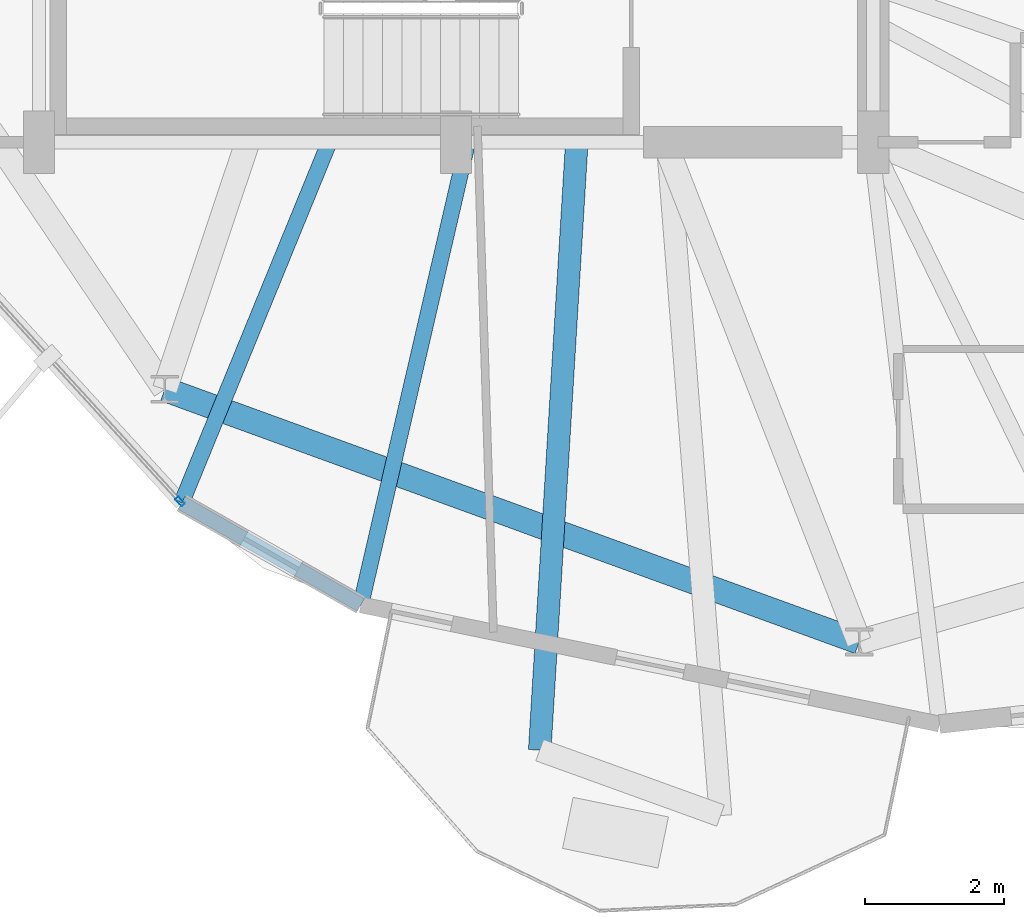
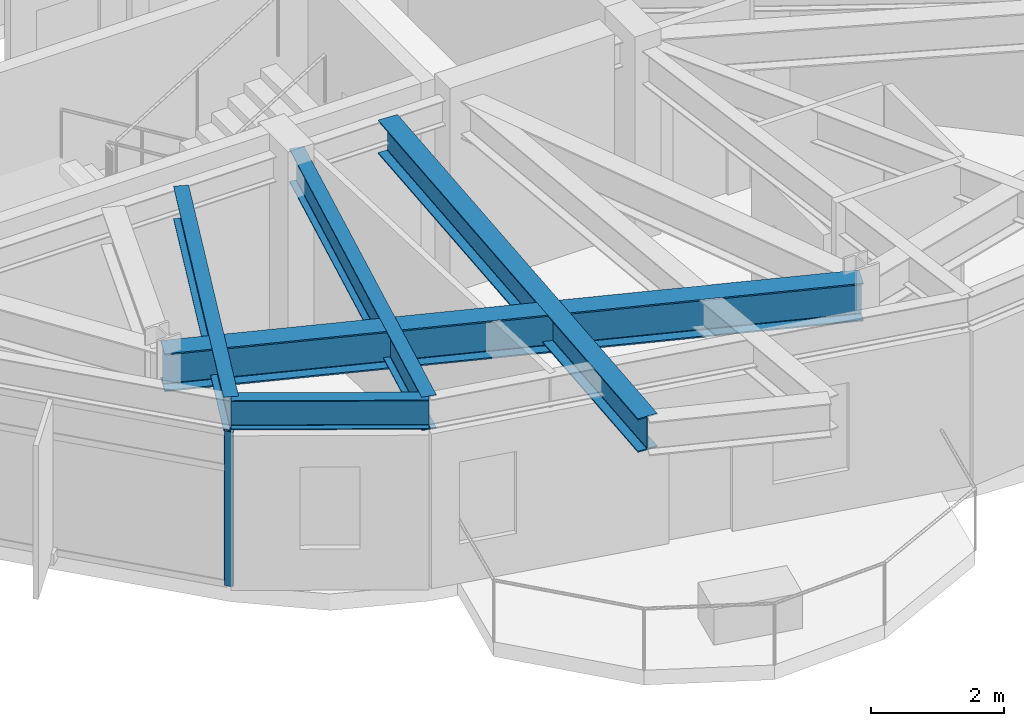
# One storey, part 2 of 23: 5 beams, 1 member, 1 element without a shape of its own.
"""IFC4 building model written with IfcOpenShell, lengths in metres."""

from ifc_helpers import new_model, si_unit, direction, frame, origin, origin_2d, place, context, subcontext, project, spatial, hollow_rectangle, i_section, extrude, material, layer, layer_set, material_profile, profile_set, type_object, element, aggregate, save


model = new_model("IFC4")

# Units and contexts
model_context = context("Model", 3, precision=1e-05, world=origin(), true_north=direction((0.0, 1.0)))
body_context = subcontext(model_context, "Body", "Model", "MODEL_VIEW")
ifc_project = project(units=[si_unit("LENGTHUNIT", "METRE"), si_unit("AREAUNIT", "SQUARE_METRE"), si_unit("VOLUMEUNIT", "CUBIC_METRE"), si_unit("PLANEANGLEUNIT", "RADIAN"), si_unit("MASSUNIT", "GRAM", prefix="KILO")], contexts=[model_context])

# Site, building, storey
site_placement = place(None, origin())
site = spatial("IfcSite", under=ifc_project, at=site_placement, CompositionType="ELEMENT")
building_placement = place(site_placement, origin())
building = spatial("IfcBuilding", under=site, at=building_placement, Name="Soratama Intermodal Tower", CompositionType="ELEMENT")
storey_placement = place(building_placement, frame((0.0, 0.0, 257.5)))
storey = spatial("IfcBuildingStorey", under=building, at=storey_placement, Name="L65", CompositionType="ELEMENT", Elevation=257.5)

# Beams
ifc_material_1 = material(Name="Structural steel ASTM A992 Grade 50", Category="steel")
ifc_material_profile_1 = material_profile(ifc_material_1, i_section(OverallWidth=0.324951171875, OverallDepth=0.615966796875, WebThickness=0.013916015625, FlangeThickness=0.021484375, FilletRadius=0.013916015625, at=origin_2d()), Name="W24X117")
ifc_profile_set_1 = profile_set([ifc_material_profile_1], Name="Structural steel ASTM A992 Grade 50")
beam_type_1 = type_object("IfcBeamType", Name="BM-CANT-W24X117", PredefinedType="BEAM", material=ifc_profile_set_1)
beam_1_placement = place(storey_placement, frame((40.3349609375, 14.9599609375, 3.14208984375), z_axis=(-0.060886379005, -0.998144703363, 0.0), x_axis=(0.998144703363, -0.060886379005, 0.0)))
element("IfcBeam", 1, at=beam_1_placement, inside=storey, type_object=beam_type_1, Name="BM-L65-CANT-3-1", PredefinedType="BEAM", context=body_context, shape_type="SweptSolid", body=[
    extrude(i_section(OverallWidth=0.324951171875, OverallDepth=0.615966796875, WebThickness=0.013916015625, FlangeThickness=0.021484375, FilletRadius=0.013916015625, at=origin_2d()), origin(), (0.0, 0.0, 1.0), 8.72119140625),
])
ifc_material_2 = material(Name="Structural steel ASTM A992 Grade 50", Category="steel")
ifc_material_profile_2 = material_profile(ifc_material_2, i_section(OverallWidth=0.35498046875, OverallDepth=0.695068359375, WebThickness=0.015380859375, FlangeThickness=0.02490234375, FilletRadius=0.01611328125, at=origin_2d()), Name="W27X146")
ifc_profile_set_2 = profile_set([ifc_material_profile_2], Name="Structural steel ASTM A992 Grade 50")
beam_type_2 = type_object("IfcBeamType", Name="BM-RING-W27X146", PredefinedType="BEAM", material=ifc_profile_set_2)
beam_2_placement = place(storey_placement, frame((34.410888671875, 11.446044921875, 3.1025390625), z_axis=(0.939713598519, -0.341962501976, 0.0), x_axis=(0.341962501976, 0.939713598519, 0.0)))
element("IfcBeam", 2, at=beam_2_placement, inside=storey, type_object=beam_type_2, Name="BM-L65-RING-07", PredefinedType="BEAM", context=body_context, shape_type="SweptSolid", body=[
    extrude(i_section(OverallWidth=0.35498046875, OverallDepth=0.695068359375, WebThickness=0.015380859375, FlangeThickness=0.02490234375, FilletRadius=0.01611328125, at=origin_2d()), origin(), (0.0, 0.0, 1.0), 10.6298828125),
])
ifc_material_3 = material(Name="Structural steel ASTM A992 Grade 50", Category="steel")
ifc_material_profile_3 = material_profile(ifc_material_3, i_section(OverallWidth=0.2099609375, OverallDepth=0.537109375, WebThickness=0.010986328125, FlangeThickness=0.017333984375, FilletRadius=0.012939453125, at=origin_2d()), Name="W21X68")
ifc_profile_set_3 = profile_set([ifc_material_profile_3], Name="Structural steel ASTM A992 Grade 50")
beam_type_3 = type_object("IfcBeamType", Name="BM-SPN-W21X68", PredefinedType="SPANDREL", material=ifc_profile_set_3)
beam_3_placement = place(storey_placement, frame((34.652099609375, 9.81201171875, 3.181396484375), z_axis=(0.869118079632, -0.494604653898, 0.0), x_axis=(0.494604653898, 0.869118079632, 0.0)))
element("IfcBeam", 3, at=beam_3_placement, inside=storey, type_object=beam_type_3, Name="BS-L65-CRN05", PredefinedType="SPANDREL", context=body_context, shape_type="SweptSolid", body=[
    extrude(i_section(OverallWidth=0.2099609375, OverallDepth=0.537109375, WebThickness=0.010986328125, FlangeThickness=0.017333984375, FilletRadius=0.012939453125, at=origin_2d()), origin(), (0.0, 0.0, 1.0), 2.966064453125),
])
ifc_material_4 = material(Name="Structural steel ASTM A992 Grade 50", Category="steel")
ifc_material_profile_4 = material_profile(ifc_material_4, i_section(OverallWidth=0.22900390625, OverallDepth=0.612060546875, WebThickness=0.011962890625, FlangeThickness=0.01953125, FilletRadius=0.012939453125, at=origin_2d()), Name="W24X84")
ifc_profile_set_4 = profile_set([ifc_material_profile_4], Name="Structural steel ASTM A992 Grade 50")
beam_type_4 = type_object("IfcBeamType", Name="BM-TIE-W24X84", PredefinedType="BEAM", material=ifc_profile_set_4)
beam_4_placement = place(storey_placement, frame((36.760986328125, 14.962890625, 3.14404296875), z_axis=(-0.378895858206, -0.925439316559, 0.0), x_axis=(0.925439316559, -0.378895858206, 0.0)))
element("IfcBeam", 4, at=beam_4_placement, inside=storey, type_object=beam_type_4, Name="BM-L65-TIE1-05", PredefinedType="BEAM", context=body_context, shape_type="SweptSolid", body=[
    extrude(i_section(OverallWidth=0.22900390625, OverallDepth=0.612060546875, WebThickness=0.011962890625, FlangeThickness=0.01953125, FilletRadius=0.012939453125, at=origin_2d()), origin(), (0.0, 0.0, 1.0), 5.56591796875),
])
beam_5_placement = place(storey_placement, frame((38.759033203125, 14.9609375, 3.14404296875), z_axis=(-0.22517984865, -0.974317215163, 0.0), x_axis=(0.974317215163, -0.22517984865, 0.0)))
element("IfcBeam", 5, at=beam_5_placement, inside=storey, type_object=beam_type_4, Name="BM-L65-TIE0-06", PredefinedType="BEAM", context=body_context, shape_type="SweptSolid", body=[
    extrude(i_section(OverallWidth=0.22900390625, OverallDepth=0.612060546875, WebThickness=0.011962890625, FlangeThickness=0.01953125, FilletRadius=0.012939453125, at=origin_2d()), origin(), (0.0, 0.0, 1.0), 6.790283203125),
])

# Curtain wall, member
ifc_material_5 = material(Name="Double-glazed aluminium curtain wall", Category="aluminium")
ifc_layer = layer(ifc_material_5, 0.159912109375)
ifc_layer_set = layer_set([ifc_layer], Name="Double-glazed aluminium curtain wall")
curtain_wall_type = type_object("IfcCurtainWallType", Name="CW-SYS-5", PredefinedType="NOTDEFINED", material=ifc_layer_set)
curtain_wall_placement = place(storey_placement, origin())
curtain_wall = element("IfcCurtainWall", 6, at=curtain_wall_placement, inside=storey, type_object=curtain_wall_type, Name="L65 Faceted Curtain Wall F05", PredefinedType="NOTDEFINED")
ifc_material_6 = material(Name="Anodised aluminium AA 6063-T6", Category="aluminium")
ifc_material_profile_5 = material_profile(ifc_material_6, hollow_rectangle(XDim=0.06494140625, YDim=0.139892578125, WallThickness=0.0048828125, InnerFilletRadius=0.0048828125, OuterFilletRadius=0.010009765625, at=origin_2d()), Name="CWM140X65X5")
ifc_profile_set_5 = profile_set([ifc_material_profile_5], Name="Anodised aluminium AA 6063-T6")
member_type = type_object("IfcMemberType", Name="MT-CWM-5", PredefinedType="MULLION", material=ifc_profile_set_5)
member_placement = place(storey_placement, frame((34.63134765625, 9.83447265625, 0.0), z_axis=(0.0, 0.0, 1.0), x_axis=(0.73893310273, 0.673778798783, 0.0)))
member = element("IfcMember", 7, at=member_placement, type_object=member_type, Name="CW-5 mullion 2", PredefinedType="MULLION", context=body_context, shape_type="SweptSolid", body=[
    extrude(hollow_rectangle(XDim=0.06494140625, YDim=0.139892578125, WallThickness=0.0048828125, InnerFilletRadius=0.0048828125, OuterFilletRadius=0.010009765625, at=origin_2d()), origin(), (0.0, 0.0, 1.0), 2.8291015625),
])
aggregate(curtain_wall, [member])

save(model, "model.ifc")
